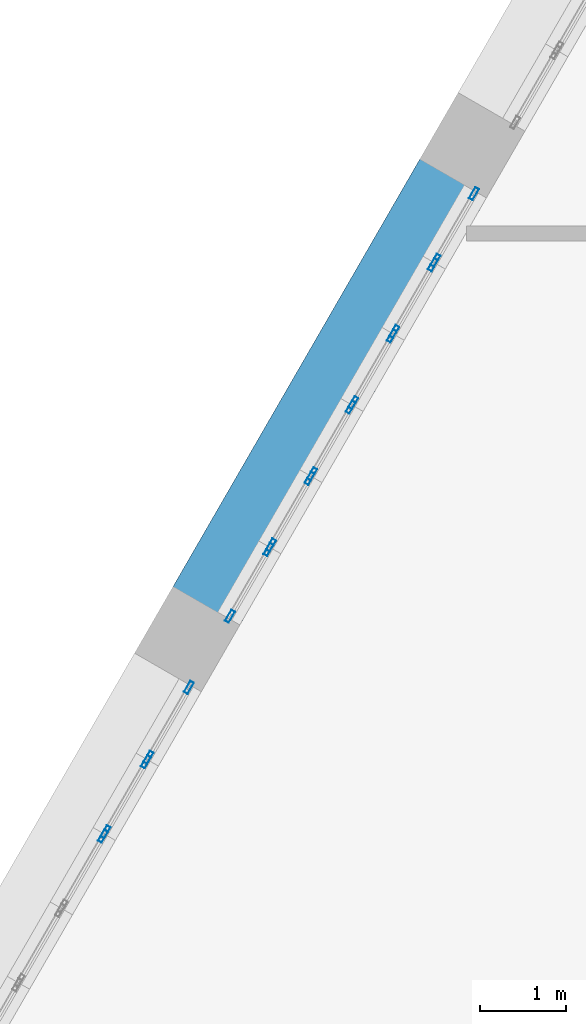
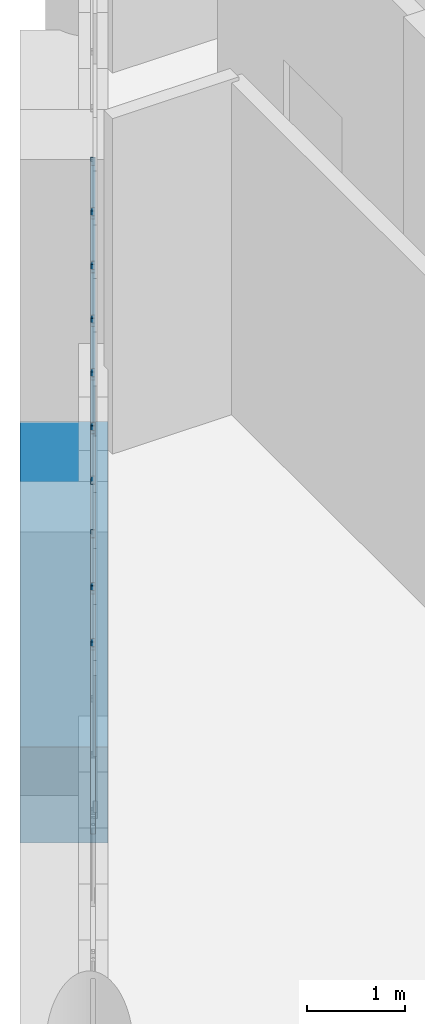
# One storey, part 4 of 20: 17 members, 1 beam, 9 elements without a shape of their own.
"""IFC4 building model written with IfcOpenShell, lengths in metres."""

import ifcopenshell
import ifcopenshell.guid

model = None  # the IFC model being written
_history = None  # IfcOwnerHistory: only IFC2X3 demands one
_inside = {}  # id of a spatial element -> (the spatial element, [elements in it])
_under = {}  # id of a project, library or spatial element -> (it, [spatial elements below it])
_declared = {}  # id of a project -> (the project, [libraries it declares])
_typed = {}  # id of a type object -> (the type object, [elements of that type])
_made_of = {}  # id of a material, layer set ... -> (it, [elements and type objects made of it])


def new_model(schema):
    """Start an empty IFC model of exactly this schema.

    Asked for "IFC4X3", IfcOpenShell would pick the latest addendum, in which some entities
    have other attributes; the version numbers below select the first issue.
    IFC2X3 requires an IfcOwnerHistory on every rooted entity: one is made here for all.
    """
    global model, _history
    if schema == "IFC4X3":
        model = ifcopenshell.file(schema_version=(4, 3, 0, 0))
    else:
        model = ifcopenshell.file(schema=schema)
    _inside.clear()
    _under.clear()
    _declared.clear()
    _typed.clear()
    _made_of.clear()
    _history = None
    if model.schema == "IFC2X3":
        org = make("IfcOrganization", Name="unknown")
        user = make(
            "IfcPersonAndOrganization",
            ThePerson=make("IfcPerson", FamilyName="unknown"),
            TheOrganization=org,
        )
        app = make(
            "IfcApplication",
            ApplicationDeveloper=org,
            Version="unknown",
            ApplicationFullName="unknown",
            ApplicationIdentifier="unknown",
        )
        _history = make(
            "IfcOwnerHistory",
            OwningUser=user,
            OwningApplication=app,
            ChangeAction="ADDED",
            CreationDate=0,
        )
    return model


def make(cls, **values):
    """One entity of the class cls with the attributes given. An attribute that is None is left unset."""
    return model.create_entity(
        cls, **{name: value for name, value in values.items() if value is not None}
    )


def rooted(cls, **values):
    """An entity with a GlobalId (a new one), such as an element, a storey or a relation."""
    return make(cls, GlobalId=ifcopenshell.guid.new(), OwnerHistory=_history, **values)


def si_unit(unit_type, name, prefix=None):
    """IfcSIUnit, for example si_unit("LENGTHUNIT", "METRE", prefix="MILLI")."""
    return make("IfcSIUnit", UnitType=unit_type, Prefix=prefix, Name=name)


def assignment(units):
    """IfcUnitAssignment: the units of a project."""
    return None if units is None else make("IfcUnitAssignment", Units=units)


def point(xyz):
    """IfcCartesianPoint."""
    return None if xyz is None else make("IfcCartesianPoint", Coordinates=xyz)


def direction(xyz):
    """IfcDirection."""
    return None if xyz is None else make("IfcDirection", DirectionRatios=xyz)


def frame(location, z_axis=None, x_axis=None):
    """IfcAxis2Placement3D, a coordinate frame: its origin and axes. An axis left out is left unset."""
    return make(
        "IfcAxis2Placement3D",
        Location=point(location),
        Axis=direction(z_axis),
        RefDirection=direction(x_axis),
    )


def frame_2d(location, x_axis=None):
    """IfcAxis2Placement2D, a coordinate frame in the plane: its origin and x axis."""
    return make(
        "IfcAxis2Placement2D", Location=point(location), RefDirection=direction(x_axis)
    )


def origin():
    """The frame at (0, 0, 0) with its axes left unset."""
    return frame((0.0, 0.0, 0.0))


def origin_2d():
    """The frame at (0, 0) in the plane with its x axis left unset."""
    return frame_2d((0.0, 0.0))


def place(relative_to, where):
    """IfcLocalPlacement: puts the frame where relative to a parent placement (None: the world)."""
    return make(
        "IfcLocalPlacement", PlacementRelTo=relative_to, RelativePlacement=where
    )


def context(
    kind, dimensions, precision=None, world=None, true_north=None, identifier=None
):
    """IfcGeometricRepresentationContext, for example the 3D "Model" context."""
    return make(
        "IfcGeometricRepresentationContext",
        ContextIdentifier=identifier,
        ContextType=kind,
        CoordinateSpaceDimension=dimensions,
        Precision=precision,
        WorldCoordinateSystem=world,
        TrueNorth=true_north,
    )


def subcontext(parent, identifier, kind, view, scale=None):
    """IfcGeometricRepresentationSubContext, for example "Body" below "Model"."""
    return make(
        "IfcGeometricRepresentationSubContext",
        ContextIdentifier=identifier,
        ContextType=kind,
        ParentContext=parent,
        TargetScale=scale,
        TargetView=view,
    )


def project(units=None, contexts=None):
    """IfcProject with its units and contexts."""
    return rooted(
        "IfcProject",
        Name="project",
        RepresentationContexts=contexts,
        UnitsInContext=assignment(units),
    )


def spatial(cls, under=None, at=None, **own):
    """A site, building, storey or space (cls), placed at a placement, below another one or the project."""
    s = rooted(cls, ObjectPlacement=at, **own)
    if under is not None:
        _under.setdefault(under.id(), (under, []))[1].append(s)
    return s


def profile(cls, at=None, kind="AREA", **sizes):
    """A parametric profile (cls). Its sizes go by their IFC names, for example OverallWidth=200.0."""
    return make(cls, ProfileType=kind, Position=at, **sizes)


def rectangle(**sizes):
    """IfcRectangleProfileDef."""
    return profile("IfcRectangleProfileDef", **sizes)


def hollow_rectangle(**sizes):
    """IfcRectangleHollowProfileDef."""
    return profile("IfcRectangleHollowProfileDef", **sizes)


def extrude(swept, where, along, depth):
    """IfcExtrudedAreaSolid: the profile swept, set in the frame where, extruded along a direction by depth."""
    return make(
        "IfcExtrudedAreaSolid",
        SweptArea=swept,
        Position=where,
        ExtrudedDirection=direction(along),
        Depth=depth,
    )


def shape(context_of_items, identifier, shape_type, items):
    """IfcShapeRepresentation: the items that make up one representation, for example the "Body"."""
    return make(
        "IfcShapeRepresentation",
        ContextOfItems=context_of_items,
        RepresentationIdentifier=identifier,
        RepresentationType=shape_type,
        Items=items,
    )


def material(Name=None, Category=None):
    """IfcMaterial."""
    return make("IfcMaterial", Name=Name, Category=Category)


def material_profile(
    of_material, cross_section, Name=None, Category=None, Priority=None
):
    """IfcMaterialProfile: a cross section and its material."""
    return make(
        "IfcMaterialProfile",
        Name=Name,
        Material=of_material,
        Profile=cross_section,
        Priority=Priority,
        Category=Category,
    )


def profile_set(profiles, Name=None, composite=None):
    """IfcMaterialProfileSet."""
    return make(
        "IfcMaterialProfileSet",
        Name=Name,
        MaterialProfiles=profiles,
        CompositeProfile=composite,
    )


def made_of(thing, what):
    """Note that an element or type object is made of a material, layer set ...; save() writes the relation."""
    if what is not None:
        _made_of.setdefault(what.id(), (what, []))[1].append(thing)
    return thing


def type_object(cls, material=None, **own):
    """A type object (cls), such as IfcWallType, which elements share."""
    return made_of(rooted(cls, **own), material)


def element(
    cls,
    number,
    at=None,
    inside=None,
    cuts=None,
    type_object=None,
    material=None,
    context=None,
    identifier="Body",
    shape_type=None,
    held_by="IfcProductDefinitionShape",
    body=None,
    shapes=None,
    **own,
):
    """One element of the class cls, such as IfcWall. Its Tag is "e" and its number.

    at: its placement. inside: the storey or other place that contains it. cuts: it is an
    opening in that element (IfcRelVoidsElement). A single representation is given by context,
    identifier, shape_type and body (its items); several are given by shapes. held_by: the class
    of the entity that holds the representations. save() writes the other relations.
    """
    e = rooted(cls, Tag="e%d" % number, ObjectPlacement=at, **own)
    if body is not None:
        shapes = [shape(context, identifier, shape_type, body)]
    if shapes is not None:
        e.Representation = make(held_by, Representations=shapes)
    if inside is not None:
        _inside.setdefault(inside.id(), (inside, []))[1].append(e)
    if cuts is not None:
        rooted(
            "IfcRelVoidsElement", RelatingBuildingElement=cuts, RelatedOpeningElement=e
        )
    if type_object is not None:
        _typed.setdefault(type_object.id(), (type_object, []))[1].append(e)
    return made_of(e, material)


def aggregate(whole, parts):
    """IfcRelAggregates: a whole, such as a stair, and the parts it consists of."""
    return rooted("IfcRelAggregates", RelatingObject=whole, RelatedObjects=parts)


def save(model, path):
    """Write the relations noted so far, then the file.

    IfcRelAggregates (storeys below a building ...), IfcRelContainedInSpatialStructure (elements
    in a storey), IfcRelDefinesByType, IfcRelAssociatesMaterial and IfcRelDeclares: one each for
    every whole, place, type object, material and project.
    """
    for whole, parts in _under.values():
        aggregate(whole, parts)
    for where, things in _inside.values():
        rooted(
            "IfcRelContainedInSpatialStructure",
            RelatedElements=things,
            RelatingStructure=where,
        )
    for kind, things in _typed.values():
        rooted("IfcRelDefinesByType", RelatedObjects=things, RelatingType=kind)
    for what, things in _made_of.values():
        rooted("IfcRelAssociatesMaterial", RelatedObjects=things, RelatingMaterial=what)
    for by, libraries in _declared.values():
        rooted("IfcRelDeclares", RelatingContext=by, RelatedDefinitions=libraries)
    model.write(path)


model = new_model("IFC4")

# Units and contexts
model_context = context("Model", 3, precision=1e-05, world=origin(), true_north=direction((0.0, 1.0)))
body_context = subcontext(model_context, "Body", "Model", "MODEL_VIEW")
ifc_project = project(units=[si_unit("LENGTHUNIT", "METRE"), si_unit("AREAUNIT", "SQUARE_METRE"), si_unit("VOLUMEUNIT", "CUBIC_METRE"), si_unit("PLANEANGLEUNIT", "RADIAN"), si_unit("MASSUNIT", "GRAM", prefix="KILO")], contexts=[model_context])

# Site, building, storey
site_placement = place(None, origin())
site = spatial("IfcSite", under=ifc_project, at=site_placement, CompositionType="ELEMENT")
building_placement = place(site_placement, origin())
building = spatial("IfcBuilding", under=site, at=building_placement, Name="Ostrander Bayou Hotel Tower", CompositionType="ELEMENT")
storey_placement = place(building_placement, frame((0.0, 0.0, 284.0)))
storey = spatial("IfcBuildingStorey", under=building, at=storey_placement, Name="L70", CompositionType="ELEMENT", Elevation=284.0)

# Curtain wall, members
ifc_material_1 = material(Name="Aluminium and clear glass", Category="aluminium")
curtain_wall_type = type_object("IfcCurtainWallType", Name="CW-CROWN glazed wall", PredefinedType="NOTDEFINED", material=ifc_material_1)
curtain_wall_1_placement = place(storey_placement, origin())
curtain_wall_1 = element("IfcCurtainWall", 1, at=curtain_wall_1_placement, inside=storey, type_object=curtain_wall_type, Name="CW-CROWN L70:NW-2-1", PredefinedType="NOTDEFINED")
ifc_material_2 = material(Name="Aluminium", Category="aluminium")
ifc_material_profile_1 = material_profile(ifc_material_2, hollow_rectangle(XDim=0.050048828125, YDim=0.14990234375, WallThickness=0.00390625, at=origin_2d()))
ifc_profile_set_1 = profile_set([ifc_material_profile_1], Name="Aluminium")
member_type = type_object("IfcMemberType", Name="CW-CR mullion 50 x 150 mm", PredefinedType="MULLION", material=ifc_profile_set_1)
member_1_placement = place(storey_placement, frame((-11.906494140625, 10.164306640625, 1.0), z_axis=(0.0, 0.0, 1.0), x_axis=(0.866022491007, -0.500005045044, 0.0)))
member_1 = element("IfcMember", 2, at=member_1_placement, type_object=member_type, Name="CW-CROWN mullion 1", PredefinedType="MULLION", context=body_context, shape_type="SweptSolid", body=[
    extrude(hollow_rectangle(XDim=0.050048828125, YDim=0.14990234375, WallThickness=0.00390625, at=origin_2d()), origin(), (0.0, 0.0, 1.0), 2.300048828125),
])
member_2_placement = place(storey_placement, frame((-12.3564453125, 9.38525390625, 1.0), z_axis=(0.0, 0.0, 1.0), x_axis=(0.866022491007, -0.500005045044, 0.0)))
member_2 = element("IfcMember", 3, at=member_2_placement, type_object=member_type, Name="CW-CROWN mullion 2", PredefinedType="MULLION", context=body_context, shape_type="SweptSolid", body=[
    extrude(hollow_rectangle(XDim=0.050048828125, YDim=0.14990234375, WallThickness=0.00390625, at=origin_2d()), origin(), (0.0, 0.0, 1.0), 2.300048828125),
])
aggregate(curtain_wall_1, [member_1, member_2])

curtain_wall_2_placement = place(storey_placement, origin())
curtain_wall_2 = element("IfcCurtainWall", 4, at=curtain_wall_2_placement, inside=storey, type_object=curtain_wall_type, Name="CW-CROWN L70:NW-2-2", PredefinedType="NOTDEFINED")
member_3_placement = place(storey_placement, frame((-12.386474609375, 9.333251953125, 1.0), z_axis=(0.0, 0.0, 1.0), x_axis=(0.866022491007, -0.500005045044, 0.0)))
member_3 = element("IfcMember", 5, at=member_3_placement, type_object=member_type, Name="CW-CROWN mullion 1", PredefinedType="MULLION", context=body_context, shape_type="SweptSolid", body=[
    extrude(hollow_rectangle(XDim=0.050048828125, YDim=0.14990234375, WallThickness=0.00390625, at=origin_2d()), origin(), (0.0, 0.0, 1.0), 2.300048828125),
])
member_4_placement = place(storey_placement, frame((-12.836181640625, 8.553955078125, 1.0), z_axis=(0.0, 0.0, 1.0), x_axis=(0.866022491007, -0.500005045044, 0.0)))
member_4 = element("IfcMember", 6, at=member_4_placement, type_object=member_type, Name="CW-CROWN mullion 2", PredefinedType="MULLION", context=body_context, shape_type="SweptSolid", body=[
    extrude(hollow_rectangle(XDim=0.050048828125, YDim=0.14990234375, WallThickness=0.00390625, at=origin_2d()), origin(), (0.0, 0.0, 1.0), 2.300048828125),
])
aggregate(curtain_wall_2, [member_3, member_4])

curtain_wall_3_placement = place(storey_placement, origin())
curtain_wall_3 = element("IfcCurtainWall", 7, at=curtain_wall_3_placement, inside=storey, type_object=curtain_wall_type, Name="CW-CROWN L70:NW-2-3", PredefinedType="NOTDEFINED")
member_5_placement = place(storey_placement, frame((-12.8662109375, 8.501953125, 1.0), z_axis=(0.0, 0.0, 1.0), x_axis=(0.866022491007, -0.500005045044, 0.0)))
member_5 = element("IfcMember", 8, at=member_5_placement, type_object=member_type, Name="CW-CROWN mullion 1", PredefinedType="MULLION", context=body_context, shape_type="SweptSolid", body=[
    extrude(hollow_rectangle(XDim=0.050048828125, YDim=0.14990234375, WallThickness=0.00390625, at=origin_2d()), origin(), (0.0, 0.0, 1.0), 2.300048828125),
])
member_6_placement = place(storey_placement, frame((-13.316162109375, 7.722900390625, 1.0), z_axis=(0.0, 0.0, 1.0), x_axis=(0.866022491007, -0.500005045044, 0.0)))
member_6 = element("IfcMember", 9, at=member_6_placement, type_object=member_type, Name="CW-CROWN mullion 2", PredefinedType="MULLION", context=body_context, shape_type="SweptSolid", body=[
    extrude(hollow_rectangle(XDim=0.050048828125, YDim=0.14990234375, WallThickness=0.00390625, at=origin_2d()), origin(), (0.0, 0.0, 1.0), 2.300048828125),
])
aggregate(curtain_wall_3, [member_5, member_6])

curtain_wall_4_placement = place(storey_placement, origin())
curtain_wall_4 = element("IfcCurtainWall", 10, at=curtain_wall_4_placement, inside=storey, type_object=curtain_wall_type, Name="CW-CROWN L70:NW-2-4", PredefinedType="NOTDEFINED")
member_7_placement = place(storey_placement, frame((-13.34619140625, 7.6708984375, 1.0), z_axis=(0.0, 0.0, 1.0), x_axis=(0.866048535364, -0.499959932788, 0.0)))
member_7 = element("IfcMember", 11, at=member_7_placement, type_object=member_type, Name="CW-CROWN mullion 1", PredefinedType="MULLION", context=body_context, shape_type="SweptSolid", body=[
    extrude(hollow_rectangle(XDim=0.050048828125, YDim=0.14990234375, WallThickness=0.00390625, at=origin_2d()), origin(), (0.0, 0.0, 1.0), 2.300048828125),
])
member_8_placement = place(storey_placement, frame((-13.796142578125, 6.8916015625, 1.0), z_axis=(0.0, 0.0, 1.0), x_axis=(0.866048535364, -0.499959932788, 0.0)))
member_8 = element("IfcMember", 12, at=member_8_placement, type_object=member_type, Name="CW-CROWN mullion 2", PredefinedType="MULLION", context=body_context, shape_type="SweptSolid", body=[
    extrude(hollow_rectangle(XDim=0.050048828125, YDim=0.14990234375, WallThickness=0.00390625, at=origin_2d()), origin(), (0.0, 0.0, 1.0), 2.300048828125),
])
aggregate(curtain_wall_4, [member_7, member_8])

curtain_wall_5_placement = place(storey_placement, origin())
curtain_wall_5 = element("IfcCurtainWall", 13, at=curtain_wall_5_placement, inside=storey, type_object=curtain_wall_type, Name="CW-CROWN L70:NW-2-5", PredefinedType="NOTDEFINED")
member_9_placement = place(storey_placement, frame((-13.826171875, 6.839599609375, 1.0), z_axis=(0.0, 0.0, 1.0), x_axis=(0.866022491007, -0.500005045044, 0.0)))
member_9 = element("IfcMember", 14, at=member_9_placement, type_object=member_type, Name="CW-CROWN mullion 1", PredefinedType="MULLION", context=body_context, shape_type="SweptSolid", body=[
    extrude(hollow_rectangle(XDim=0.050048828125, YDim=0.14990234375, WallThickness=0.00390625, at=origin_2d()), origin(), (0.0, 0.0, 1.0), 2.300048828125),
])
member_10_placement = place(storey_placement, frame((-14.27587890625, 6.060302734375, 1.0), z_axis=(0.0, 0.0, 1.0), x_axis=(0.866022491007, -0.500005045044, 0.0)))
member_10 = element("IfcMember", 15, at=member_10_placement, type_object=member_type, Name="CW-CROWN mullion 2", PredefinedType="MULLION", context=body_context, shape_type="SweptSolid", body=[
    extrude(hollow_rectangle(XDim=0.050048828125, YDim=0.14990234375, WallThickness=0.00390625, at=origin_2d()), origin(), (0.0, 0.0, 1.0), 2.300048828125),
])
aggregate(curtain_wall_5, [member_9, member_10])

curtain_wall_6_placement = place(storey_placement, origin())
curtain_wall_6 = element("IfcCurtainWall", 16, at=curtain_wall_6_placement, inside=storey, type_object=curtain_wall_type, Name="CW-CROWN L70:NW-2-6", PredefinedType="NOTDEFINED")
member_11_placement = place(storey_placement, frame((-14.305908203125, 6.00830078125, 1.0), z_axis=(0.0, 0.0, 1.0), x_axis=(0.866022491007, -0.500005045044, 0.0)))
member_11 = element("IfcMember", 17, at=member_11_placement, type_object=member_type, Name="CW-CROWN mullion 1", PredefinedType="MULLION", context=body_context, shape_type="SweptSolid", body=[
    extrude(hollow_rectangle(XDim=0.050048828125, YDim=0.14990234375, WallThickness=0.00390625, at=origin_2d()), origin(), (0.0, 0.0, 1.0), 2.300048828125),
])
member_12_placement = place(storey_placement, frame((-14.755859375, 5.22900390625, 1.0), z_axis=(0.0, 0.0, 1.0), x_axis=(0.866022491007, -0.500005045044, 0.0)))
member_12 = element("IfcMember", 18, at=member_12_placement, type_object=member_type, Name="CW-CROWN mullion 2", PredefinedType="MULLION", context=body_context, shape_type="SweptSolid", body=[
    extrude(hollow_rectangle(XDim=0.050048828125, YDim=0.14990234375, WallThickness=0.00390625, at=origin_2d()), origin(), (0.0, 0.0, 1.0), 2.300048828125),
])
aggregate(curtain_wall_6, [member_11, member_12])

curtain_wall_7_placement = place(storey_placement, origin())
curtain_wall_7 = element("IfcCurtainWall", 19, at=curtain_wall_7_placement, inside=storey, type_object=curtain_wall_type, Name="CW-CROWN L70:NW-3-1", PredefinedType="NOTDEFINED")
member_13_placement = place(storey_placement, frame((-15.23583984375, 4.397705078125, 1.0), z_axis=(0.0, 0.0, 1.0), x_axis=(0.866044474681, -0.499966966783, 0.0)))
member_13 = element("IfcMember", 20, at=member_13_placement, type_object=member_type, Name="CW-CROWN mullion 1", PredefinedType="MULLION", context=body_context, shape_type="SweptSolid", body=[
    extrude(hollow_rectangle(XDim=0.050048828125, YDim=0.14990234375, WallThickness=0.00390625, at=origin_2d()), origin(), (0.0, 0.0, 1.0), 2.300048828125),
])
member_14_placement = place(storey_placement, frame((-15.70751953125, 3.5810546875, 1.0), z_axis=(0.0, 0.0, 1.0), x_axis=(0.866044474681, -0.499966966783, 0.0)))
member_14 = element("IfcMember", 21, at=member_14_placement, type_object=member_type, Name="CW-CROWN mullion 2", PredefinedType="MULLION", context=body_context, shape_type="SweptSolid", body=[
    extrude(hollow_rectangle(XDim=0.050048828125, YDim=0.14990234375, WallThickness=0.00390625, at=origin_2d()), origin(), (0.0, 0.0, 1.0), 2.300048828125),
])
aggregate(curtain_wall_7, [member_13, member_14])

curtain_wall_8_placement = place(storey_placement, origin())
curtain_wall_8 = element("IfcCurtainWall", 22, at=curtain_wall_8_placement, inside=storey, type_object=curtain_wall_type, Name="CW-CROWN L70:NW-3-2", PredefinedType="NOTDEFINED")
member_15_placement = place(storey_placement, frame((-15.7373046875, 3.529052734375, 1.0), z_axis=(0.0, 0.0, 1.0), x_axis=(0.866001306597, -0.50004173523, 0.0)))
member_15 = element("IfcMember", 23, at=member_15_placement, type_object=member_type, Name="CW-CROWN mullion 1", PredefinedType="MULLION", context=body_context, shape_type="SweptSolid", body=[
    extrude(hollow_rectangle(XDim=0.050048828125, YDim=0.14990234375, WallThickness=0.00390625, at=origin_2d()), origin(), (0.0, 0.0, 1.0), 2.300048828125),
])
member_16_placement = place(storey_placement, frame((-16.208984375, 2.712158203125, 1.0), z_axis=(0.0, 0.0, 1.0), x_axis=(0.866001306597, -0.50004173523, 0.0)))
member_16 = element("IfcMember", 24, at=member_16_placement, type_object=member_type, Name="CW-CROWN mullion 2", PredefinedType="MULLION", context=body_context, shape_type="SweptSolid", body=[
    extrude(hollow_rectangle(XDim=0.050048828125, YDim=0.14990234375, WallThickness=0.00390625, at=origin_2d()), origin(), (0.0, 0.0, 1.0), 2.300048828125),
])
aggregate(curtain_wall_8, [member_15, member_16])

# Curtain wall, member
curtain_wall_9_placement = place(storey_placement, origin())
curtain_wall_9 = element("IfcCurtainWall", 25, at=curtain_wall_9_placement, inside=storey, type_object=curtain_wall_type, Name="CW-CROWN L70:NW-3-3", PredefinedType="NOTDEFINED")
member_17_placement = place(storey_placement, frame((-16.239013671875, 2.660400390625, 1.0), z_axis=(0.0, 0.0, 1.0), x_axis=(0.866019551165, -0.500010136897, 0.0)))
member_17 = element("IfcMember", 26, at=member_17_placement, type_object=member_type, Name="CW-CROWN mullion 1", PredefinedType="MULLION", context=body_context, shape_type="SweptSolid", body=[
    extrude(hollow_rectangle(XDim=0.050048828125, YDim=0.14990234375, WallThickness=0.00390625, at=origin_2d()), origin(), (0.0, 0.0, 1.0), 2.300048828125),
])
aggregate(curtain_wall_9, [member_17])

# Beam
ifc_material_3 = material(Name="Concrete f'c 60 MPa", Category="concrete")
ifc_material_profile_2 = material_profile(ifc_material_3, rectangle(XDim=0.89990234375, YDim=1.199951171875, at=origin_2d()))
ifc_profile_set_2 = profile_set([ifc_material_profile_2], Name="Concrete f'c 60 MPa")
beam_type = type_object("IfcBeamType", Name="SP4 spandrel beam 900 x 1200 mm f'c 60 MPa", PredefinedType="SPANDREL", material=ifc_profile_set_2)
beam_placement = place(storey_placement, frame((-12.13623046875, 10.366455078125, -0.60009765625), z_axis=(-0.499997265274, -0.866026982673, 0.0), x_axis=(0.866026982673, -0.499997265274, 0.0)))
element("IfcBeam", 27, at=beam_placement, inside=storey, type_object=beam_type, Name="SP4 L70 NW-2", PredefinedType="SPANDREL", context=body_context, shape_type="SweptSolid", body=[
    extrude(rectangle(XDim=0.89990234375, YDim=1.199951171875, at=origin_2d()), origin(), (0.0, 0.0, 1.0), 5.81884765625),
])

save(model, "model.ifc")
